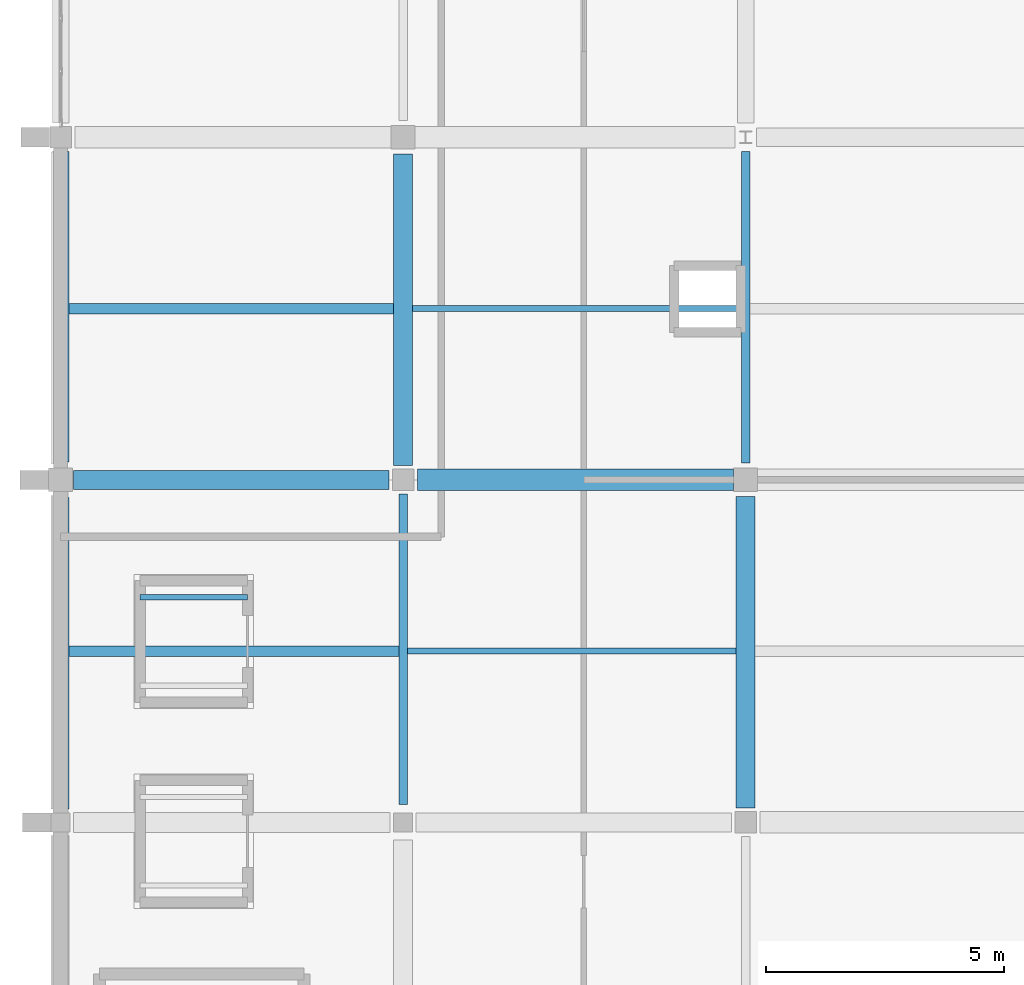
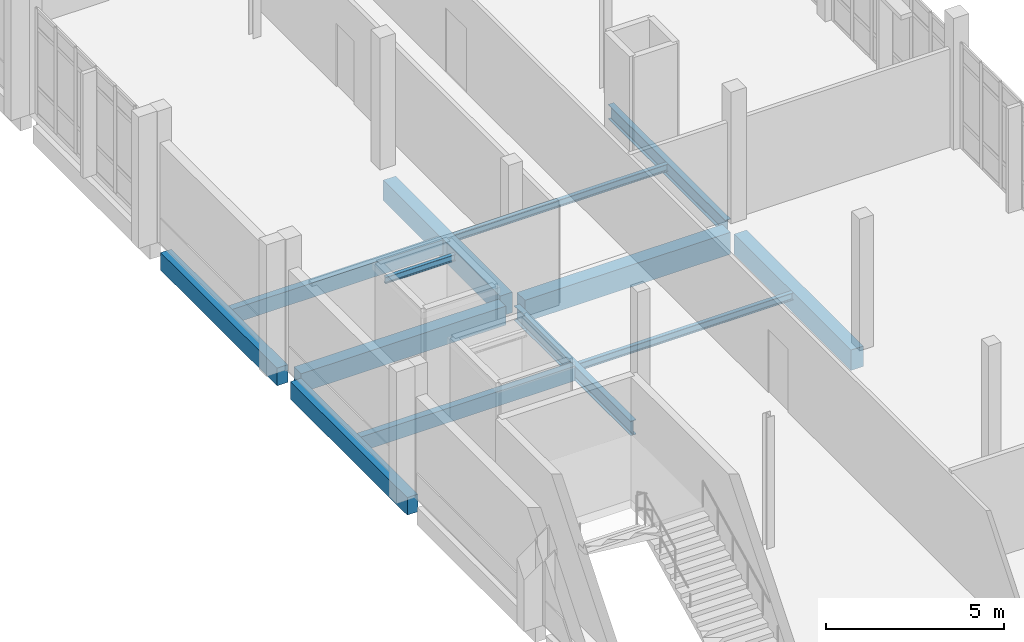
# One storey, part 13 of 62: 13 beams.
"""IFC4 building model written with IfcOpenShell, lengths in metres."""

from ifc_helpers import new_model, si_unit, direction, frame, origin, origin_2d, place, context, subcontext, project, spatial, rectangle, i_section, extrude, material, material_profile, profile_set, type_object, element, save


model = new_model("IFC4")

# Units and contexts
model_context = context("Model", 3, precision=1e-05, world=origin(), true_north=direction((0.0, 1.0)))
body_context = subcontext(model_context, "Body", "Model", "MODEL_VIEW")
ifc_project = project(units=[si_unit("LENGTHUNIT", "METRE"), si_unit("AREAUNIT", "SQUARE_METRE"), si_unit("VOLUMEUNIT", "CUBIC_METRE"), si_unit("PLANEANGLEUNIT", "RADIAN"), si_unit("MASSUNIT", "GRAM", prefix="KILO")], contexts=[model_context])

# Site, building, storey
site_placement = place(None, origin())
site = spatial("IfcSite", under=ifc_project, at=site_placement, CompositionType="ELEMENT")
building_placement = place(site_placement, origin())
building = spatial("IfcBuilding", under=site, at=building_placement, Name="Kalluvel Institute of Natural Sciences", CompositionType="ELEMENT")
storey_placement = place(building_placement, frame((0.0, 0.0, 27.89990234375)))
storey = spatial("IfcBuildingStorey", under=building, at=storey_placement, Name="L06", CompositionType="ELEMENT", Elevation=27.89990234375)

# Beams
ifc_material_1 = material(Name="Steel E350 Grade 350", Category="steel")
ifc_material_profile_1 = material_profile(ifc_material_1, i_section(OverallWidth=0.110107421875, OverallDepth=0.22509765625, WebThickness=0.006591796875, FlangeThickness=0.01171875, FilletRadius=0.011962890625, at=origin_2d()), Name="ISMB 225")
ifc_profile_set_1 = profile_set([ifc_material_profile_1], Name="Steel E350 Grade 350")
beam_type_1 = type_object("IfcBeamType", Name="BM-ISMB225", PredefinedType="BEAM", material=ifc_profile_set_1)
beam_1_placement = place(storey_placement, frame((15.669921875, 61.929931640625, 3.8076171875), z_axis=(1.0, 0.0, 0.0), x_axis=(0.0, 1.0, 0.0)))
element("IfcBeam", 1, at=beam_1_placement, inside=storey, type_object=beam_type_1, Name="LF7 overrun cap support beam N", PredefinedType="BEAM", context=body_context, shape_type="SweptSolid", body=[
    extrude(i_section(OverallWidth=0.110107421875, OverallDepth=0.22509765625, WebThickness=0.006591796875, FlangeThickness=0.01171875, FilletRadius=0.011962890625, at=origin_2d()), origin(), (0.0, 0.0, 1.0), 2.260009765625),
])
ifc_material_profile_2 = material_profile(ifc_material_1, i_section(OverallWidth=0.179931640625, OverallDepth=0.5, WebThickness=0.01025390625, FlangeThickness=0.01708984375, FilletRadius=0.01708984375, at=origin_2d()), Name="ISMB 500")
ifc_profile_set_2 = profile_set([ifc_material_profile_2], Name="Steel E350 Grade 350")
beam_type_2 = type_object("IfcBeamType", Name="BM-ISMB500", PredefinedType="BEAM", material=ifc_profile_set_2)
beam_2_placement = place(storey_placement, frame((21.199951171875, 57.574951171875, -0.5498046875), z_axis=(0.0, 1.0, 0.0), x_axis=(-1.0, 0.0, 0.0)))
element("IfcBeam", 2, at=beam_2_placement, inside=storey, type_object=beam_type_2, Name="L06 girder GIR-L06-NS-X212-Y572", PredefinedType="BEAM", context=body_context, shape_type="SweptSolid", body=[
    extrude(i_section(OverallWidth=0.179931640625, OverallDepth=0.5, WebThickness=0.01025390625, FlangeThickness=0.01708984375, FilletRadius=0.01708984375, at=origin_2d()), origin(), (0.0, 0.0, 1.0), 6.525146484375),
])
beam_3_placement = place(storey_placement, frame((28.39990234375, 64.75, -0.5498046875), z_axis=(0.0, 1.0, 0.0), x_axis=(-1.0, 0.0, 0.0)))
element("IfcBeam", 3, at=beam_3_placement, inside=storey, type_object=beam_type_2, Name="L06 girder GIR-L06-NS-X284-Y644", PredefinedType="BEAM", context=body_context, shape_type="SweptSolid", body=[
    extrude(i_section(OverallWidth=0.179931640625, OverallDepth=0.5, WebThickness=0.01025390625, FlangeThickness=0.01708984375, FilletRadius=0.01708984375, at=origin_2d()), origin(), (0.0, 0.0, 1.0), 6.550048828125),
])
ifc_material_2 = material(Name="Concrete M40", Category="concrete")
ifc_material_profile_3 = material_profile(ifc_material_2, rectangle(XDim=0.39990234375, YDim=0.64990234375, at=origin_2d()), Name="RCB 400x650")
ifc_profile_set_3 = profile_set([ifc_material_profile_3], Name="Concrete M40")
beam_type_3 = type_object("IfcBeamType", Name="BM-RC400x650", PredefinedType="BEAM", material=ifc_profile_set_3)
beam_4_placement = place(storey_placement, frame((14.27490234375, 64.39990234375, -0.625), z_axis=(1.0, 0.0, 0.0), x_axis=(0.0, 1.0, 0.0)))
element("IfcBeam", 4, at=beam_4_placement, inside=storey, type_object=beam_type_3, Name="L06 girder GIR-L06-EW-X140-Y644", PredefinedType="BEAM", context=body_context, shape_type="SweptSolid", body=[
    extrude(rectangle(XDim=0.39990234375, YDim=0.64990234375, at=origin_2d()), origin(), (0.0, 0.0, 1.0), 6.625),
])
ifc_material_profile_4 = material_profile(ifc_material_2, rectangle(XDim=0.39990234375, YDim=0.699951171875, at=origin_2d()), Name="RCB 400x700")
ifc_profile_set_4 = profile_set([ifc_material_profile_4], Name="Concrete M40")
beam_type_4 = type_object("IfcBeamType", Name="BM-RC400x700", PredefinedType="BEAM", material=ifc_profile_set_4)
for number, where, z_axis, x_axis, name in (
    (5, (21.199951171875, 64.699951171875, -0.64990234375), (0.0, 1.0, 0.0), (-1.0, 0.0, 0.0), "L06 girder GIR-L06-NS-X212-Y644"),
    (6, (28.39990234375, 57.5, -0.64990234375), (0.0, 1.0, 0.0), (-1.0, 0.0, 0.0), "L06 girder GIR-L06-NS-X284-Y572"),
):
    element("IfcBeam", number, at=place(storey_placement, frame(where, z_axis=z_axis, x_axis=x_axis)), inside=storey, type_object=beam_type_4, Name=name, PredefinedType="BEAM", context=body_context, shape_type="SweptSolid", body=[
        extrude(rectangle(XDim=0.39990234375, YDim=0.699951171875, at=origin_2d()), origin(), (0.0, 0.0, 1.0), 6.550048828125),
    ])
ifc_material_profile_5 = material_profile(ifc_material_2, rectangle(XDim=0.449951171875, YDim=0.75, at=origin_2d()), Name="RCB 450x750")
ifc_profile_set_5 = profile_set([ifc_material_profile_5], Name="Concrete M40")
beam_type_5 = type_object("IfcBeamType", Name="BM-RC450x750", PredefinedType="BEAM", material=ifc_profile_set_5)
beam_5_placement = place(storey_placement, frame((21.5, 64.39990234375, -0.6748046875), z_axis=(1.0, 0.0, 0.0), x_axis=(0.0, 1.0, 0.0)))
element("IfcBeam", 7, at=beam_5_placement, inside=storey, type_object=beam_type_5, Name="L06 girder GIR-L06-EW-X212-Y644", PredefinedType="BEAM", context=body_context, shape_type="SweptSolid", body=[
    extrude(rectangle(XDim=0.449951171875, YDim=0.75, at=origin_2d()), origin(), (0.0, 0.0, 1.0), 6.64990234375),
])
ifc_material_profile_6 = material_profile(ifc_material_2, rectangle(XDim=0.35009765625, YDim=0.60009765625, at=origin_2d()), Name="RCB 350x600")
ifc_profile_set_6 = profile_set([ifc_material_profile_6], Name="Concrete M40")
beam_type_6 = type_object("IfcBeamType", Name="SP-RC350x600", PredefinedType="SPANDREL", material=ifc_profile_set_6)
beam_6_placement = place(storey_placement, frame((14.0, 57.47509765625, -0.599853515625), z_axis=(0.0, 1.0, 0.0), x_axis=(-1.0, 0.0, 0.0)))
element("IfcBeam", 8, at=beam_6_placement, inside=storey, type_object=beam_type_6, Name="L06 girder GIR-L06-NS-X140-Y572", PredefinedType="SPANDREL", context=body_context, shape_type="SweptSolid", body=[
    extrude(rectangle(XDim=0.35009765625, YDim=0.60009765625, at=origin_2d()), origin(), (0.0, 0.0, 1.0), 6.5498046875),
])
beam_7_placement = place(storey_placement, frame((14.0, 64.77490234375, -0.599853515625), z_axis=(0.0, 1.0, 0.0), x_axis=(-1.0, 0.0, 0.0)))
element("IfcBeam", 9, at=beam_7_placement, inside=storey, type_object=beam_type_6, Name="L06 girder GIR-L06-NS-X140-Y644", PredefinedType="SPANDREL", context=body_context, shape_type="SweptSolid", body=[
    extrude(rectangle(XDim=0.35009765625, YDim=0.60009765625, at=origin_2d()), origin(), (0.0, 0.0, 1.0), 6.525146484375),
])
ifc_material_profile_7 = material_profile(ifc_material_2, rectangle(XDim=0.219970703125, YDim=0.5, at=origin_2d()), Name="WAF 220x500")
ifc_profile_set_7 = profile_set([ifc_material_profile_7], Name="Concrete M40")
beam_type_7 = type_object("IfcBeamType", Name="WJ-220x500", PredefinedType="JOIST", material=ifc_profile_set_7)
beam_8_placement = place(storey_placement, frame((14.175048828125, 60.800048828125, -0.5498046875), z_axis=(1.0, 0.0, 0.0), x_axis=(0.0, 1.0, 0.0)))
element("IfcBeam", 10, at=beam_8_placement, inside=storey, type_object=beam_type_7, Name="L06 floor rib RIB-L06-0764", PredefinedType="JOIST", context=body_context, shape_type="SweptSolid", body=[
    extrude(rectangle(XDim=0.219970703125, YDim=0.5, at=origin_2d()), origin(), (0.0, 0.0, 1.0), 6.93505859375),
])
beam_9_placement = place(storey_placement, frame((14.175048828125, 68.0, -0.5498046875), z_axis=(1.0, 0.0, 0.0), x_axis=(0.0, 1.0, 0.0)))
element("IfcBeam", 11, at=beam_9_placement, inside=storey, type_object=beam_type_7, Name="L06 floor rib RIB-L06-0767", PredefinedType="JOIST", context=body_context, shape_type="SweptSolid", body=[
    extrude(rectangle(XDim=0.219970703125, YDim=0.5, at=origin_2d()), origin(), (0.0, 0.0, 1.0), 6.824951171875),
])
ifc_material_profile_8 = material_profile(ifc_material_1, i_section(OverallWidth=0.125, OverallDepth=0.25, WebThickness=0.0068359375, FlangeThickness=0.012451171875, FilletRadius=0.012939453125, at=origin_2d()), Name="ISMB 250")
ifc_profile_set_8 = profile_set([ifc_material_profile_8], Name="Steel E350 Grade 350")
beam_type_8 = type_object("IfcBeamType", Name="WJ-ISMB250", PredefinedType="JOIST", material=ifc_profile_set_8)
beam_10_placement = place(storey_placement, frame((21.2900390625, 60.800048828125, -0.4248046875), z_axis=(1.0, 0.0, 0.0), x_axis=(0.0, 1.0, 0.0)))
element("IfcBeam", 12, at=beam_10_placement, inside=storey, type_object=beam_type_8, Name="L06 floor rib RIB-L06-0765", PredefinedType="JOIST", context=body_context, shape_type="SweptSolid", body=[
    extrude(i_section(OverallWidth=0.125, OverallDepth=0.25, WebThickness=0.0068359375, FlangeThickness=0.012451171875, FilletRadius=0.012939453125, at=origin_2d()), origin(), (0.0, 0.0, 1.0), 6.909912109375),
])
beam_11_placement = place(storey_placement, frame((21.39990234375, 68.0, -0.4248046875), z_axis=(1.0, 0.0, 0.0), x_axis=(0.0, 1.0, 0.0)))
element("IfcBeam", 13, at=beam_11_placement, inside=storey, type_object=beam_type_8, Name="L06 floor rib RIB-L06-0768", PredefinedType="JOIST", context=body_context, shape_type="SweptSolid", body=[
    extrude(i_section(OverallWidth=0.125, OverallDepth=0.25, WebThickness=0.0068359375, FlangeThickness=0.012451171875, FilletRadius=0.012939453125, at=origin_2d()), origin(), (0.0, 0.0, 1.0), 6.91015625),
])

save(model, "model.ifc")
